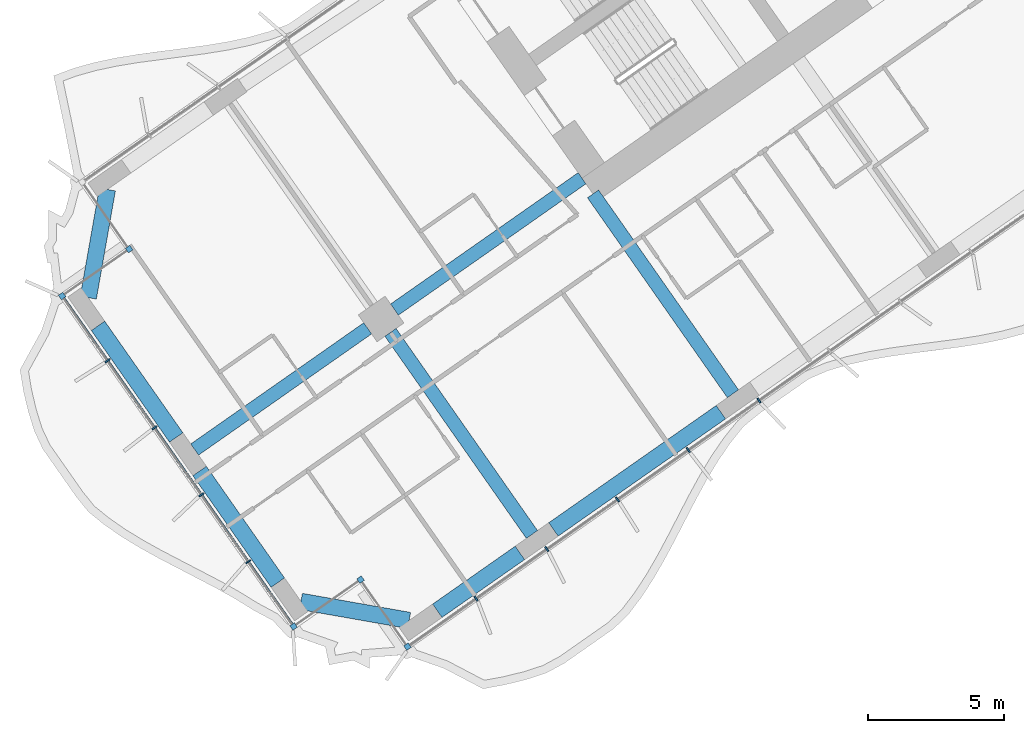
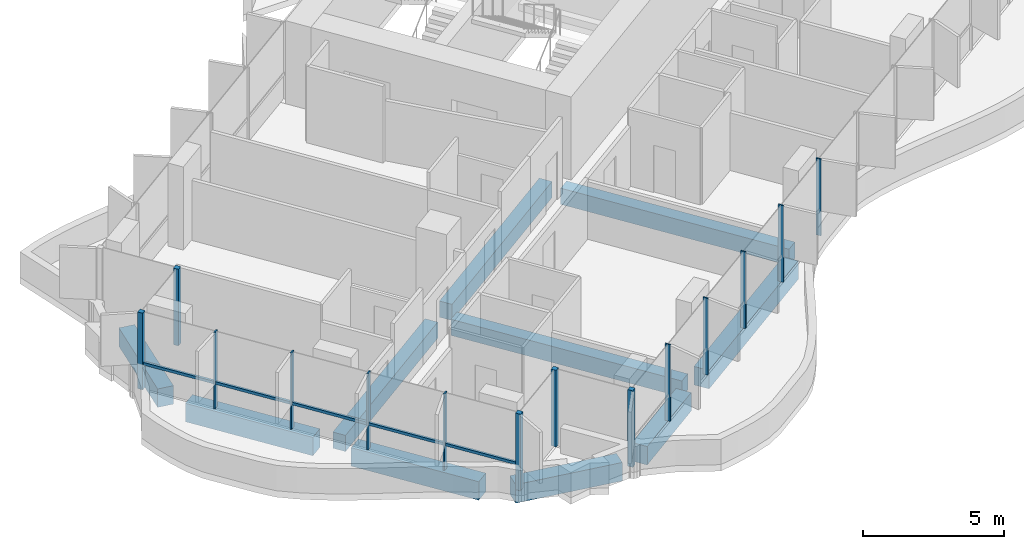
# One storey, part 2 of 23: 15 members, 10 beams, 1 element without a shape of its own.
"""IFC4 building model written with IfcOpenShell, lengths in metres."""

from ifc_helpers import new_model, si_unit, direction, frame, origin, origin_2d, place, context, subcontext, project, spatial, rectangle, extrude, material, material_profile, profile_set, type_object, element, aggregate, save


model = new_model("IFC4")

# Units and contexts
model_context = context("Model", 3, precision=1e-05, world=origin(), true_north=direction((0.0, 1.0)))
body_context = subcontext(model_context, "Body", "Model", "MODEL_VIEW")
ifc_project = project(units=[si_unit("LENGTHUNIT", "METRE"), si_unit("AREAUNIT", "SQUARE_METRE"), si_unit("VOLUMEUNIT", "CUBIC_METRE"), si_unit("PLANEANGLEUNIT", "RADIAN"), si_unit("MASSUNIT", "GRAM", prefix="KILO")], contexts=[model_context])

# Site, building, storey
site_placement = place(None, origin())
site = spatial("IfcSite", under=ifc_project, at=site_placement, CompositionType="ELEMENT")
building_placement = place(site_placement, origin())
building = spatial("IfcBuilding", under=site, at=building_placement, Name="Tel Ilan Convention Tower", CompositionType="ELEMENT")
storey_placement = place(building_placement, frame((0.0, 0.0, 101.300048828125)))
storey = spatial("IfcBuildingStorey", under=building, at=storey_placement, Name="L21", CompositionType="ELEMENT", Elevation=101.300048828125)

# Beams
ifc_material_1 = material(Name="Concrete C40/50", Category="concrete")
ifc_material_profile_1 = material_profile(ifc_material_1, rectangle(XDim=0.5, YDim=0.699951171875, at=origin_2d()), Name="RC 500x700")
ifc_profile_set_1 = profile_set([ifc_material_profile_1], Name="Concrete C40/50")
beam_type_1 = type_object("IfcBeamType", Name="Beam RC 500x700 Concrete C40/50", PredefinedType="BEAM", material=ifc_profile_set_1)
beam_1_placement = place(storey_placement, frame((-16.58203125, -23.391357421875, -0.630126953125), z_axis=(-0.573584999642, 0.819146048141, 0.0), x_axis=(-0.819146048141, -0.573584999642, 0.0)))
element("IfcBeam", 1, at=beam_1_placement, inside=storey, type_object=beam_type_1, Name="L21 beam W-W-F3-core", PredefinedType="BEAM", context=body_context, shape_type="SweptSolid", body=[
    extrude(rectangle(XDim=0.5, YDim=0.699951171875, at=origin_2d()), origin(), (0.0, 0.0, 1.0), 8.949951171875),
])
beam_2_placement = place(storey_placement, frame((-22.1171875, -15.486572265625, -0.630126953125), z_axis=(-0.819147254605, -0.573583276668, 0.0), x_axis=(0.573583276668, -0.819147254605, 0.0)))
element("IfcBeam", 2, at=beam_2_placement, inside=storey, type_object=beam_type_1, Name="L21 beam W-core-W-M4", PredefinedType="BEAM", context=body_context, shape_type="SweptSolid", body=[
    extrude(rectangle(XDim=0.5, YDim=0.699951171875, at=origin_2d()), origin(), (0.0, 0.0, 1.0), 8.400146484375),
])
beam_3_placement = place(storey_placement, frame((-29.98095703125, -20.992919921875, -0.630126953125), z_axis=(-0.819159394801, -0.573565938589, 0.0), x_axis=(0.573565938589, -0.819159394801, 0.0)))
element("IfcBeam", 3, at=beam_3_placement, inside=storey, type_object=beam_type_1, Name="L21 beam W-W-M4-end", PredefinedType="BEAM", context=body_context, shape_type="SweptSolid", body=[
    extrude(rectangle(XDim=0.5, YDim=0.699951171875, at=origin_2d()), origin(), (0.0, 0.0, 1.0), 7.75),
])
beam_4_placement = place(storey_placement, frame((-29.145263671875, -21.14013671875, -0.630126953125), z_axis=(0.573549245583, -0.819171082798, 0.0), x_axis=(0.819171082798, 0.573549245583, 0.0)))
element("IfcBeam", 4, at=beam_4_placement, inside=storey, type_object=beam_type_1, Name="L21 beam W-W-M4-W-F4", PredefinedType="BEAM", context=body_context, shape_type="SweptSolid", body=[
    extrude(rectangle(XDim=0.5, YDim=0.699951171875, at=origin_2d()), origin(), (0.0, 0.0, 1.0), 9.050048828125),
])
ifc_material_2 = material(Name="Concrete C40/50", Category="concrete")
ifc_material_profile_2 = material_profile(ifc_material_2, rectangle(XDim=0.60009765625, YDim=0.800048828125, at=origin_2d()), Name="RC 600x800")
ifc_profile_set_2 = profile_set([ifc_material_profile_2], Name="Concrete C40/50")
beam_type_2 = type_object("IfcBeamType", Name="Beam RC 600x800 Concrete C40/50", PredefinedType="BEAM", material=ifc_profile_set_2)
beam_5_placement = place(storey_placement, frame((-17.0244140625, -24.0673828125, -0.679931640625), z_axis=(-0.81915238829, -0.573575945067, 0.0), x_axis=(0.573575945067, -0.81915238829, 0.0)))
element("IfcBeam", 5, at=beam_5_placement, inside=storey, type_object=beam_type_2, Name="L21 beam W-W-F3-W-F4", PredefinedType="BEAM", context=body_context, shape_type="SweptSolid", body=[
    extrude(rectangle(XDim=0.60009765625, YDim=0.800048828125, at=origin_2d()), origin(), (0.0, 0.0, 1.0), 7.5),
])
beam_6_placement = place(storey_placement, frame((-24.396728515625, -29.2294921875, -0.679931640625), z_axis=(-0.819132709951, -0.573604047656, 0.0), x_axis=(0.573604047656, -0.819132709951, 0.0)))
element("IfcBeam", 6, at=beam_6_placement, inside=storey, type_object=beam_type_2, Name="L21 beam W-W-F4-W-FC", PredefinedType="BEAM", context=body_context, shape_type="SweptSolid", body=[
    extrude(rectangle(XDim=0.60009765625, YDim=0.800048828125, at=origin_2d()), origin(), (0.0, 0.0, 1.0), 3.699951171875),
])
beam_7_placement = place(storey_placement, frame((-28.459716796875, -31.708251953125, -0.679931640625), z_axis=(-0.984806721117, 0.173654029734, 0.0), x_axis=(-0.173654029734, -0.984806721117, 0.0)))
element("IfcBeam", 7, at=beam_7_placement, inside=storey, type_object=beam_type_2, Name="L21 beam W-W-FC-W-E1", PredefinedType="BEAM", context=body_context, shape_type="SweptSolid", body=[
    extrude(rectangle(XDim=0.60009765625, YDim=0.800048828125, at=origin_2d()), origin(), (0.0, 0.0, 1.0), 4.03076171875),
])
for number, where, z_axis, x_axis, name in (
    (8, (-33.277099609375, -30.3203125, -0.679931640625), (-0.573586866468, 0.819144740944, 0.0), (-0.819144740944, -0.573586866468, 0.0), "L21 beam W-W-E1-W-E2"),
    (9, (-37.00537109375, -24.995849609375, -0.679931640625), (-0.573586866468, 0.819144740944, 0.0), (-0.819144740944, -0.573586866468, 0.0), "L21 beam W-W-E2-W-E3"),
):
    element("IfcBeam", number, at=place(storey_placement, frame(where, z_axis=z_axis, x_axis=x_axis)), inside=storey, type_object=beam_type_2, Name=name, PredefinedType="BEAM", context=body_context, shape_type="SweptSolid", body=[
        extrude(rectangle(XDim=0.60009765625, YDim=0.800048828125, at=origin_2d()), origin(), (0.0, 0.0, 1.0), 5.0),
    ])
beam_8_placement = place(storey_placement, frame((-40.229736328125, -19.867919921875, -0.679931640625), z_axis=(0.173664388751, 0.984804894423, 0.0), x_axis=(-0.984804894423, 0.173664388751, 0.0)))
element("IfcBeam", 10, at=beam_8_placement, inside=storey, type_object=beam_type_2, Name="L21 beam W-W-E3-W-BC", PredefinedType="BEAM", context=body_context, shape_type="SweptSolid", body=[
    extrude(rectangle(XDim=0.60009765625, YDim=0.800048828125, at=origin_2d()), origin(), (0.0, 0.0, 1.0), 4.030517578125),
])

# Curtain wall, members
ifc_material_3 = material(Name="Aluminium, bronze anodised", Category="aluminium")
curtain_wall_type = type_object("IfcCurtainWallType", Name="CW1 UNITISED CURTAIN WALL, HOTEL TINTED GLASS", PredefinedType="NOTDEFINED", material=ifc_material_3)
curtain_wall_placement = place(storey_placement, origin())
curtain_wall = element("IfcCurtainWall", 11, at=curtain_wall_placement, inside=storey, type_object=curtain_wall_type, Name="Curtain wall CW1-19.02", PredefinedType="NOTDEFINED")
ifc_material_4 = material(Name="Aluminium, bronze anodised", Category="aluminium")
ifc_material_profile_3 = material_profile(ifc_material_4, rectangle(XDim=0.199951171875, YDim=0.199951171875, at=origin_2d()), Name="CW CORNER MULLION 200x200")
ifc_profile_set_3 = profile_set([ifc_material_profile_3], Name="Aluminium, bronze anodised")
member_type_1 = type_object("IfcMemberType", Name="CW CORNER MULLION 200x200", PredefinedType="MULLION", material=ifc_profile_set_3)
member_1_placement = place(storey_placement, frame((-38.730712890625, -18.0859375, 0.0), z_axis=(0.0, 0.0, 1.0), x_axis=(0.573576436351, -0.819152044289, 0.0)))
member_1 = element("IfcMember", 12, at=member_1_placement, type_object=member_type_1, Name="Corner mullion", PredefinedType="MULLION", context=body_context, shape_type="SweptSolid", body=[
    extrude(rectangle(XDim=0.199951171875, YDim=0.199951171875, at=origin_2d()), origin(), (0.0, 0.0, 1.0), 3.320068359375),
])
member_2_placement = place(storey_placement, frame((-41.188232421875, -19.806640625, 0.0), z_axis=(0.0, 0.0, 1.0), x_axis=(-0.819152044289, -0.573576436351, 0.0)))
member_2 = element("IfcMember", 13, at=member_2_placement, type_object=member_type_1, Name="Corner mullion", PredefinedType="MULLION", context=body_context, shape_type="SweptSolid", body=[
    extrude(rectangle(XDim=0.199951171875, YDim=0.199951171875, at=origin_2d()), origin(), (0.0, 0.0, 1.0), 3.320068359375),
])
member_3_placement = place(storey_placement, frame((-32.69921875, -31.929931640625, 0.0), z_axis=(0.0, 0.0, 1.0), x_axis=(0.573576436351, -0.819152044289, 0.0)))
member_3 = element("IfcMember", 14, at=member_3_placement, type_object=member_type_1, Name="Corner mullion", PredefinedType="MULLION", context=body_context, shape_type="SweptSolid", body=[
    extrude(rectangle(XDim=0.199951171875, YDim=0.199951171875, at=origin_2d()), origin(), (0.0, 0.0, 1.0), 3.320068359375),
])
member_4_placement = place(storey_placement, frame((-30.241943359375, -30.209228515625, 0.0), z_axis=(0.0, 0.0, 1.0), x_axis=(0.819152044289, 0.573576436351, 0.0)))
member_4 = element("IfcMember", 15, at=member_4_placement, type_object=member_type_1, Name="Corner mullion", PredefinedType="MULLION", context=body_context, shape_type="SweptSolid", body=[
    extrude(rectangle(XDim=0.199951171875, YDim=0.199951171875, at=origin_2d()), origin(), (0.0, 0.0, 1.0), 3.320068359375),
])
member_5_placement = place(storey_placement, frame((-28.52099609375, -32.666748046875, 0.0), z_axis=(0.0, 0.0, 1.0), x_axis=(0.573576436351, -0.819152044289, 0.0)))
member_5 = element("IfcMember", 16, at=member_5_placement, type_object=member_type_1, Name="Corner mullion", PredefinedType="MULLION", context=body_context, shape_type="SweptSolid", body=[
    extrude(rectangle(XDim=0.199951171875, YDim=0.199951171875, at=origin_2d()), origin(), (0.0, 0.0, 1.0), 3.320068359375),
])
ifc_material_5 = material(Name="Aluminium, bronze anodised", Category="aluminium")
ifc_material_profile_4 = material_profile(ifc_material_5, rectangle(XDim=0.06005859375, YDim=0.199951171875, at=origin_2d()), Name="CW MULLION 60x200")
ifc_profile_set_4 = profile_set([ifc_material_profile_4], Name="Aluminium, bronze anodised")
member_type_2 = type_object("IfcMemberType", Name="CW MULLION 60x200", PredefinedType="MULLION", material=ifc_profile_set_4)
member_6_placement = place(storey_placement, frame((-39.52490234375, -22.18212890625, 0.0), z_axis=(0.0, 0.0, 1.0), x_axis=(0.573576436351, -0.819152044289, 0.0)))
member_6 = element("IfcMember", 17, at=member_6_placement, type_object=member_type_2, Name="Mullion", PredefinedType="MULLION", context=body_context, shape_type="SweptSolid", body=[
    extrude(rectangle(XDim=0.06005859375, YDim=0.199951171875, at=origin_2d()), origin(), (0.0, 0.0, 1.0), 3.320068359375),
])
member_7_placement = place(storey_placement, frame((-37.80419921875, -24.6396484375, 0.0), z_axis=(0.0, 0.0, 1.0), x_axis=(0.573576436351, -0.819152044289, 0.0)))
member_7 = element("IfcMember", 18, at=member_7_placement, type_object=member_type_2, Name="Mullion", PredefinedType="MULLION", context=body_context, shape_type="SweptSolid", body=[
    extrude(rectangle(XDim=0.06005859375, YDim=0.199951171875, at=origin_2d()), origin(), (0.0, 0.0, 1.0), 3.320068359375),
])
member_8_placement = place(storey_placement, frame((-36.08349609375, -27.096923828125, 0.0), z_axis=(0.0, 0.0, 1.0), x_axis=(0.573576436351, -0.819152044289, 0.0)))
member_8 = element("IfcMember", 19, at=member_8_placement, type_object=member_type_2, Name="Mullion", PredefinedType="MULLION", context=body_context, shape_type="SweptSolid", body=[
    extrude(rectangle(XDim=0.06005859375, YDim=0.199951171875, at=origin_2d()), origin(), (0.0, 0.0, 1.0), 3.320068359375),
])
member_9_placement = place(storey_placement, frame((-34.362548828125, -29.554443359375, 0.0), z_axis=(0.0, 0.0, 1.0), x_axis=(0.573576436351, -0.819152044289, 0.0)))
member_9 = element("IfcMember", 20, at=member_9_placement, type_object=member_type_2, Name="Mullion", PredefinedType="MULLION", context=body_context, shape_type="SweptSolid", body=[
    extrude(rectangle(XDim=0.06005859375, YDim=0.199951171875, at=origin_2d()), origin(), (0.0, 0.0, 1.0), 3.320068359375),
])
member_10_placement = place(storey_placement, frame((-26.008056640625, -30.906982421875, 0.0), z_axis=(0.0, 0.0, 1.0), x_axis=(0.819152044289, 0.573576436351, 0.0)))
member_10 = element("IfcMember", 21, at=member_10_placement, type_object=member_type_2, Name="Mullion", PredefinedType="MULLION", context=body_context, shape_type="SweptSolid", body=[
    extrude(rectangle(XDim=0.06005859375, YDim=0.199951171875, at=origin_2d()), origin(), (0.0, 0.0, 1.0), 3.320068359375),
])
member_11_placement = place(storey_placement, frame((-23.412841796875, -29.08984375, 0.0), z_axis=(0.0, 0.0, 1.0), x_axis=(0.819152044289, 0.573576436351, 0.0)))
member_11 = element("IfcMember", 22, at=member_11_placement, type_object=member_type_2, Name="Mullion", PredefinedType="MULLION", context=body_context, shape_type="SweptSolid", body=[
    extrude(rectangle(XDim=0.06005859375, YDim=0.199951171875, at=origin_2d()), origin(), (0.0, 0.0, 1.0), 3.320068359375),
])
member_12_placement = place(storey_placement, frame((-20.81787109375, -27.27294921875, 0.0), z_axis=(0.0, 0.0, 1.0), x_axis=(0.819152044289, 0.573576436351, 0.0)))
member_12 = element("IfcMember", 23, at=member_12_placement, type_object=member_type_2, Name="Mullion", PredefinedType="MULLION", context=body_context, shape_type="SweptSolid", body=[
    extrude(rectangle(XDim=0.06005859375, YDim=0.199951171875, at=origin_2d()), origin(), (0.0, 0.0, 1.0), 3.320068359375),
])
member_13_placement = place(storey_placement, frame((-18.222900390625, -25.455810546875, 0.0), z_axis=(0.0, 0.0, 1.0), x_axis=(0.819152044289, 0.573576436351, 0.0)))
member_13 = element("IfcMember", 24, at=member_13_placement, type_object=member_type_2, Name="Mullion", PredefinedType="MULLION", context=body_context, shape_type="SweptSolid", body=[
    extrude(rectangle(XDim=0.06005859375, YDim=0.199951171875, at=origin_2d()), origin(), (0.0, 0.0, 1.0), 3.320068359375),
])
member_14_placement = place(storey_placement, frame((-15.627685546875, -23.638671875, 0.0), z_axis=(0.0, 0.0, 1.0), x_axis=(0.819152044289, 0.573576436351, 0.0)))
member_14 = element("IfcMember", 25, at=member_14_placement, type_object=member_type_2, Name="Mullion", PredefinedType="MULLION", context=body_context, shape_type="SweptSolid", body=[
    extrude(rectangle(XDim=0.06005859375, YDim=0.199951171875, at=origin_2d()), origin(), (0.0, 0.0, 1.0), 3.320068359375),
])
ifc_material_6 = material(Name="Aluminium, bronze anodised", Category="aluminium")
ifc_material_profile_5 = material_profile(ifc_material_6, rectangle(XDim=0.10009765625, YDim=0.1201171875, at=origin_2d()), Name="CW TRANSOM 100x120")
ifc_profile_set_5 = profile_set([ifc_material_profile_5], Name="Aluminium, bronze anodised")
member_type_3 = type_object("IfcMemberType", Name="CW TRANSOM 100x120", PredefinedType="USERDEFINED", material=ifc_profile_set_5)
member_15_placement = place(storey_placement, frame((-41.130859375, -19.888427734375, 1.099853515625), z_axis=(0.573575688231, -0.819152568128, 0.0), x_axis=(0.819152568128, 0.573575688231, 0.0)))
member_15 = element("IfcMember", 26, at=member_15_placement, type_object=member_type_3, Name="Transom", ObjectType="TRANSOM", PredefinedType="USERDEFINED", context=body_context, shape_type="SweptSolid", body=[
    extrude(rectangle(XDim=0.10009765625, YDim=0.1201171875, at=origin_2d()), origin(), (0.0, 0.0, 1.0), 14.60009765625),
])
aggregate(curtain_wall, [member_1, member_2, member_6, member_7, member_8, member_9, member_3, member_15, member_4, member_5, member_10, member_11, member_12, member_13, member_14])

save(model, "model.ifc")
